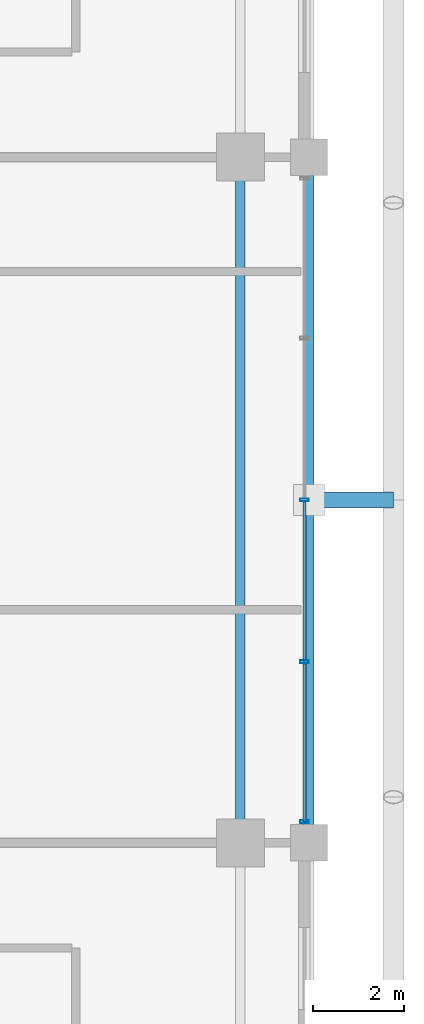
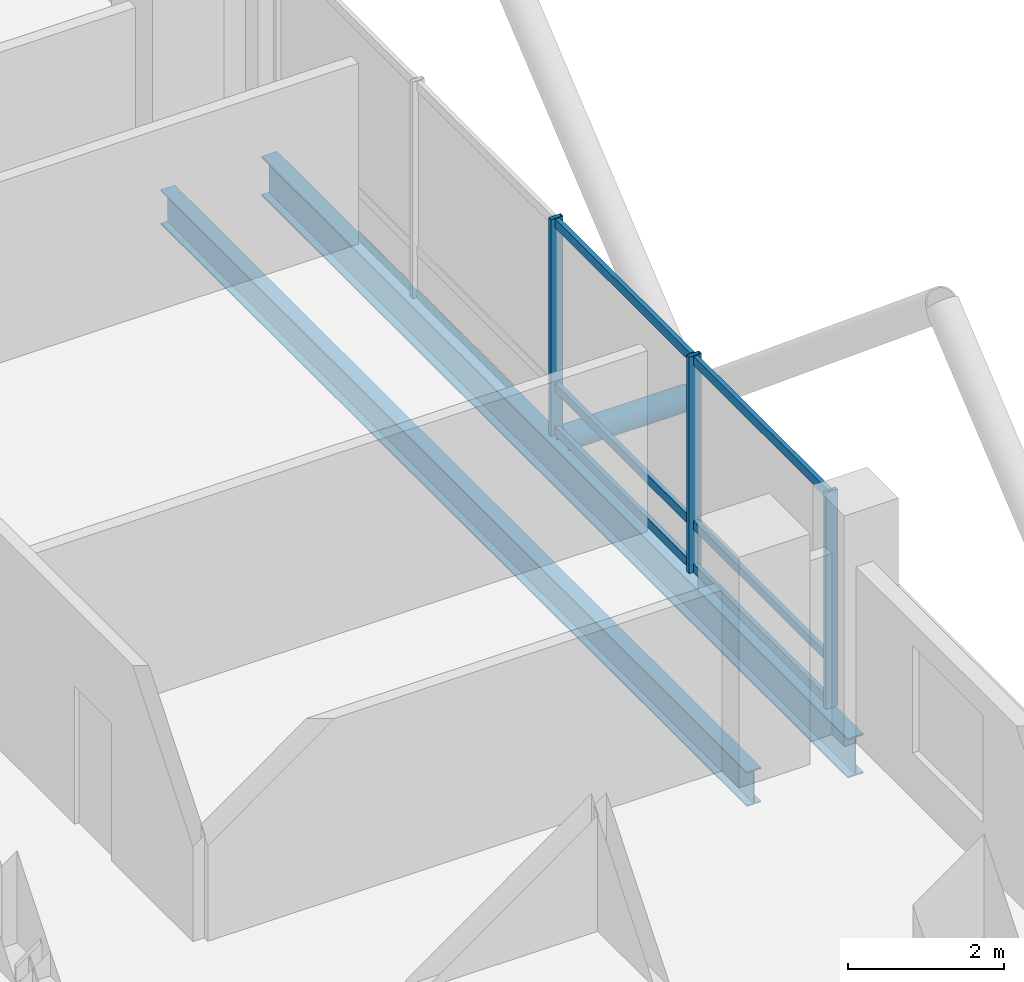
# One storey, part 11 of 26: 10 members, 2 beams, 1 element without a shape of its own.
"""IFC4 building model written with IfcOpenShell, lengths in metres."""

from ifc_helpers import new_model, si_unit, direction, frame, origin, origin_2d, place, context, subcontext, project, spatial, hollow_rectangle, hollow_circle, i_section, extrude, material, layer, layer_set, material_profile, profile_set, type_object, element, aggregate, save


model = new_model("IFC4")

# Units and contexts
model_context = context("Model", 3, precision=1e-05, world=origin(), true_north=direction((0.0, 1.0)))
body_context = subcontext(model_context, "Body", "Model", "MODEL_VIEW")
ifc_project = project(units=[si_unit("LENGTHUNIT", "METRE"), si_unit("AREAUNIT", "SQUARE_METRE"), si_unit("VOLUMEUNIT", "CUBIC_METRE"), si_unit("PLANEANGLEUNIT", "RADIAN"), si_unit("MASSUNIT", "GRAM", prefix="KILO")], contexts=[model_context])

# Site, building, storey
site_placement = place(None, origin())
site = spatial("IfcSite", under=ifc_project, at=site_placement, CompositionType="ELEMENT")
building_placement = place(site_placement, origin())
building = spatial("IfcBuilding", under=site, at=building_placement, Name="Barlavira Tower and Art Museum", CompositionType="ELEMENT")
storey_placement = place(building_placement, frame((0.0, 0.0, 187.199951171875)))
storey = spatial("IfcBuildingStorey", under=building, at=storey_placement, Name="L48", CompositionType="ELEMENT", Elevation=187.199951171875)

# Curtain wall, members
ifc_material_1 = material(Name="Low-iron coastal laminated glass", Category="glass")
ifc_layer = layer(ifc_material_1, 0.199951171875, Name="Low-iron coastal laminated glass")
ifc_layer_set = layer_set([ifc_layer], Name="Low-iron coastal laminated glass")
curtain_wall_type = type_object("IfcCurtainWallType", Name="Pale-Metal Unitised Curtain Wall Zone 3", PredefinedType="NOTDEFINED", material=ifc_layer_set)
curtain_wall_placement = place(storey_placement, origin())
curtain_wall = element("IfcCurtainWall", 1, at=curtain_wall_placement, inside=storey, type_object=curtain_wall_type, Name="L48 Curtain Wall CW3-L48-E-B3", PredefinedType="NOTDEFINED")
ifc_material_2 = material(Name="Pale anodised aluminium", Category="aluminium")
ifc_material_profile_1 = material_profile(ifc_material_2, hollow_rectangle(XDim=0.06494140625, YDim=0.179931640625, WallThickness=0.00390625, at=origin_2d()), Name="ALU-MULL 65x180x4")
ifc_profile_set_1 = profile_set([ifc_material_profile_1], Name="Pale anodised aluminium")
member_type_1 = type_object("IfcMemberType", Name="Curtain Wall Pale-Metal Mullion 65x180", PredefinedType="MULLION", material=ifc_profile_set_1)
member_1_placement = place(storey_placement, frame((18.39990234375, -7.034912109375, 0.0), z_axis=(0.0, 0.0, 1.0), x_axis=(0.0, 1.0, 0.0)))
member_1 = element("IfcMember", 2, at=member_1_placement, type_object=member_type_1, Name="CW3-L48-E-B3 Mullion 0", PredefinedType="MULLION", context=body_context, shape_type="SweptSolid", body=[
    extrude(hollow_rectangle(XDim=0.06494140625, YDim=0.179931640625, WallThickness=0.00390625, at=origin_2d()), origin(), (0.0, 0.0, 1.0), 3.380126953125),
])
member_2_placement = place(storey_placement, frame((18.39990234375, -3.5400390625, 0.0), z_axis=(0.0, 0.0, 1.0), x_axis=(0.0, 1.0, 0.0)))
member_2 = element("IfcMember", 3, at=member_2_placement, type_object=member_type_1, Name="CW3-L48-E-B3 Mullion 1", PredefinedType="MULLION", context=body_context, shape_type="SweptSolid", body=[
    extrude(hollow_rectangle(XDim=0.06494140625, YDim=0.179931640625, WallThickness=0.00390625, at=origin_2d()), origin(), (0.0, 0.0, 1.0), 3.380126953125),
])
member_3_placement = place(storey_placement, frame((18.39990234375, 0.0, 0.0), z_axis=(0.0, 0.0, 1.0), x_axis=(0.0, 1.0, 0.0)))
member_3 = element("IfcMember", 4, at=member_3_placement, type_object=member_type_1, Name="CW3-L48-E-B3 Mullion 2", PredefinedType="MULLION", context=body_context, shape_type="SweptSolid", body=[
    extrude(hollow_rectangle(XDim=0.06494140625, YDim=0.179931640625, WallThickness=0.00390625, at=origin_2d()), origin(), (0.0, 0.0, 1.0), 3.380126953125),
])
ifc_material_profile_2 = material_profile(ifc_material_2, hollow_rectangle(XDim=0.06494140625, YDim=0.139892578125, WallThickness=0.00390625, at=origin_2d()), Name="ALU-TRAN 65x140x4")
ifc_profile_set_2 = profile_set([ifc_material_profile_2], Name="Pale anodised aluminium")
member_type_2 = type_object("IfcMemberType", Name="Curtain Wall Pale-Metal Transom 65x140", PredefinedType="USERDEFINED", material=ifc_profile_set_2)
member_4_placement = place(storey_placement, frame((18.39990234375, -7.034912109375, 0.070068359375), z_axis=(0.0, 1.0, 0.0), x_axis=(-1.0, 0.0, 0.0)))
member_4 = element("IfcMember", 5, at=member_4_placement, type_object=member_type_2, Name="CW3-L48-E-B3 Transom 0.1", ObjectType="TRANSOM", PredefinedType="USERDEFINED", context=body_context, shape_type="SweptSolid", body=[
    extrude(hollow_rectangle(XDim=0.06494140625, YDim=0.139892578125, WallThickness=0.00390625, at=origin_2d()), origin(), (0.0, 0.0, 1.0), 3.449951171875),
])
member_5_placement = place(storey_placement, frame((18.39990234375, -7.034912109375, 0.744140625), z_axis=(0.0, 1.0, 0.0), x_axis=(-1.0, 0.0, 0.0)))
member_5 = element("IfcMember", 6, at=member_5_placement, type_object=member_type_2, Name="CW3-L48-E-B3 Transom 0.2", ObjectType="TRANSOM", PredefinedType="USERDEFINED", context=body_context, shape_type="SweptSolid", body=[
    extrude(hollow_rectangle(XDim=0.06494140625, YDim=0.139892578125, WallThickness=0.00390625, at=origin_2d()), origin(), (0.0, 0.0, 1.0), 3.449951171875),
])
member_6_placement = place(storey_placement, frame((18.39990234375, -7.034912109375, 3.31005859375), z_axis=(0.0, 1.0, 0.0), x_axis=(-1.0, 0.0, 0.0)))
member_6 = element("IfcMember", 7, at=member_6_placement, type_object=member_type_2, Name="CW3-L48-E-B3 Transom 0.3", ObjectType="TRANSOM", PredefinedType="USERDEFINED", context=body_context, shape_type="SweptSolid", body=[
    extrude(hollow_rectangle(XDim=0.06494140625, YDim=0.139892578125, WallThickness=0.00390625, at=origin_2d()), origin(), (0.0, 0.0, 1.0), 3.449951171875),
])
member_7_placement = place(storey_placement, frame((18.39990234375, -3.4951171875, 0.070068359375), z_axis=(0.0, 1.0, 0.0), x_axis=(-1.0, 0.0, 0.0)))
member_7 = element("IfcMember", 8, at=member_7_placement, type_object=member_type_2, Name="CW3-L48-E-B3 Transom 1.1", ObjectType="TRANSOM", PredefinedType="USERDEFINED", context=body_context, shape_type="SweptSolid", body=[
    extrude(hollow_rectangle(XDim=0.06494140625, YDim=0.139892578125, WallThickness=0.00390625, at=origin_2d()), origin(), (0.0, 0.0, 1.0), 3.4501953125),
])
member_8_placement = place(storey_placement, frame((18.39990234375, -3.4951171875, 0.744140625), z_axis=(0.0, 1.0, 0.0), x_axis=(-1.0, 0.0, 0.0)))
member_8 = element("IfcMember", 9, at=member_8_placement, type_object=member_type_2, Name="CW3-L48-E-B3 Transom 1.2", ObjectType="TRANSOM", PredefinedType="USERDEFINED", context=body_context, shape_type="SweptSolid", body=[
    extrude(hollow_rectangle(XDim=0.06494140625, YDim=0.139892578125, WallThickness=0.00390625, at=origin_2d()), origin(), (0.0, 0.0, 1.0), 3.4501953125),
])
member_9_placement = place(storey_placement, frame((18.39990234375, -3.4951171875, 3.31005859375), z_axis=(0.0, 1.0, 0.0), x_axis=(-1.0, 0.0, 0.0)))
member_9 = element("IfcMember", 10, at=member_9_placement, type_object=member_type_2, Name="CW3-L48-E-B3 Transom 1.3", ObjectType="TRANSOM", PredefinedType="USERDEFINED", context=body_context, shape_type="SweptSolid", body=[
    extrude(hollow_rectangle(XDim=0.06494140625, YDim=0.139892578125, WallThickness=0.00390625, at=origin_2d()), origin(), (0.0, 0.0, 1.0), 3.4501953125),
])
aggregate(curtain_wall, [member_1, member_2, member_3, member_4, member_5, member_6, member_7, member_8, member_9])

# Member
ifc_material_3 = material(Name="Steel S355", Category="steel")
ifc_material_profile_3 = material_profile(ifc_material_3, hollow_circle(Radius=0.177734375, WallThickness=0.01611328125, at=origin_2d()), Name="CHS 355.6x16.0")
ifc_profile_set_3 = profile_set([ifc_material_profile_3], Name="Steel S355")
member_type_3 = type_object("IfcMemberType", Name="Pale-Metal Exoskeleton Tie Strut CHS 356x16 Steel S355", PredefinedType="STRUT", material=ifc_profile_set_3)
member_10_placement = place(storey_placement, frame((20.35009765625, 0.0, -0.119873046875), z_axis=(-1.0, 0.0, 0.0), x_axis=(0.0, -1.0, 0.0)))
element("IfcMember", 11, at=member_10_placement, inside=storey, type_object=member_type_3, Name="L48 Exoskeleton Tie Strut E2", PredefinedType="STRUT", context=body_context, shape_type="SweptSolid", body=[
    extrude(hollow_circle(Radius=0.177734375, WallThickness=0.01611328125, at=origin_2d()), origin(), (0.0, 0.0, 1.0), 1.85009765625),
])

# Beams
ifc_material_profile_4 = material_profile(ifc_material_3, i_section(OverallWidth=0.22998046875, OverallDepth=0.616943359375, WebThickness=0.01318359375, FlangeThickness=0.022216796875, at=origin_2d()), Name="W610x140.0")
ifc_profile_set_4 = profile_set([ifc_material_profile_4], Name="Steel S355")
beam_type_1 = type_object("IfcBeamType", Name="Upper Shaft Spandrel Edge Beam W610x140 Steel S355", PredefinedType="SPANDREL", material=ifc_profile_set_4)
beam_1_placement = place(storey_placement, frame((18.5, -7.5, -0.528564453125), z_axis=(0.0, 1.0, 0.0), x_axis=(-1.0, 0.0, 0.0)))
element("IfcBeam", 12, at=beam_1_placement, inside=storey, type_object=beam_type_1, Name="L48 Spandrel 6", PredefinedType="SPANDREL", context=body_context, shape_type="SweptSolid", body=[
    extrude(i_section(OverallWidth=0.22998046875, OverallDepth=0.616943359375, WebThickness=0.01318359375, FlangeThickness=0.022216796875, at=origin_2d()), origin(), (0.0, 0.0, 1.0), 15.0),
])
ifc_material_profile_5 = material_profile(ifc_material_3, i_section(OverallWidth=0.2109375, OverallDepth=0.5390625, WebThickness=0.01171875, FlangeThickness=0.018798828125, at=origin_2d()), Name="W530x109.0")
ifc_profile_set_5 = profile_set([ifc_material_profile_5], Name="Steel S355")
beam_type_2 = type_object("IfcBeamType", Name="Zone 3-4 Primary Floor Girder W530x109 Steel S355", PredefinedType="BEAM", material=ifc_profile_set_5)
beam_2_placement = place(storey_placement, frame((17.0, -7.5, -0.489501953125), z_axis=(0.0, 1.0, 0.0), x_axis=(-1.0, 0.0, 0.0)))
element("IfcBeam", 13, at=beam_2_placement, inside=storey, type_object=beam_type_2, Name="L48 Girder M-E2", PredefinedType="BEAM", context=body_context, shape_type="SweptSolid", body=[
    extrude(i_section(OverallWidth=0.2109375, OverallDepth=0.5390625, WebThickness=0.01171875, FlangeThickness=0.018798828125, at=origin_2d()), origin(), (0.0, 0.0, 1.0), 15.0),
])

save(model, "model.ifc")
